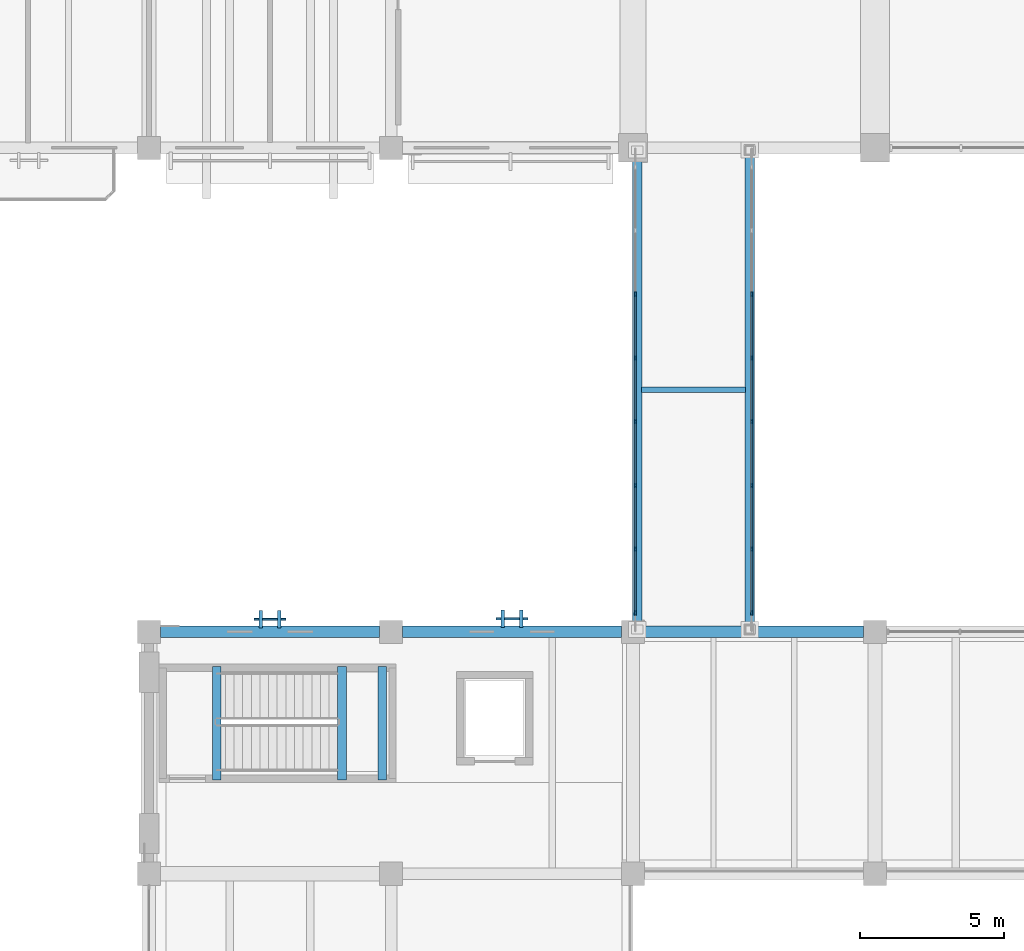
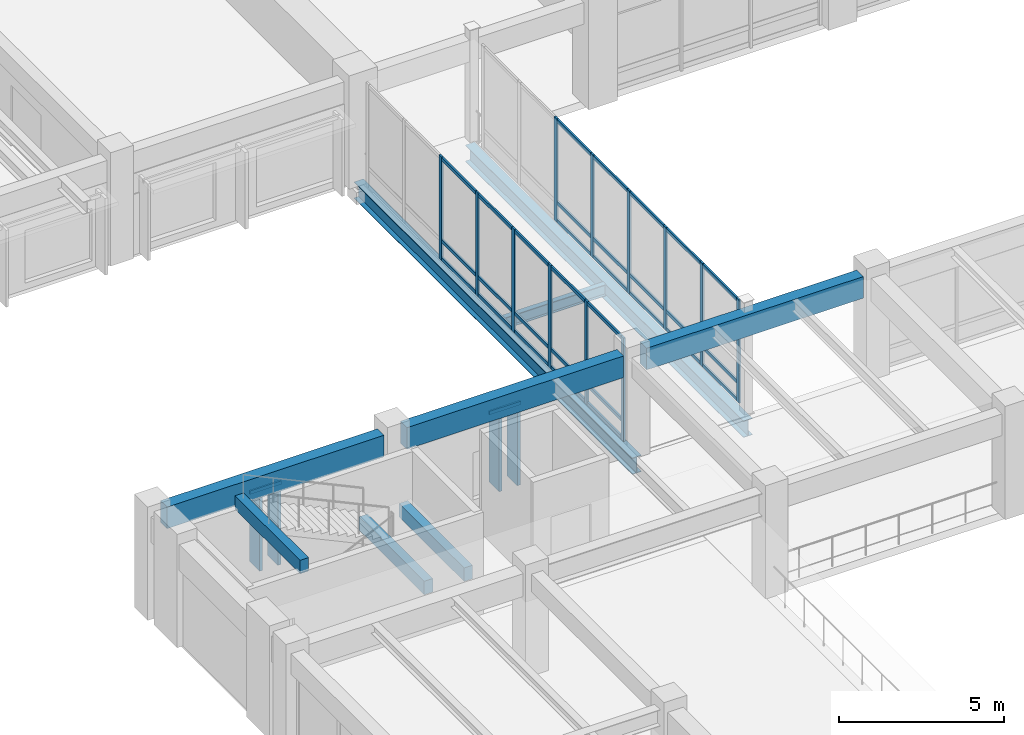
# One storey, part 38 of 132: 48 members, 9 beams, 4 elements without a shape of their own.
"""IFC4 building model written with IfcOpenShell, lengths in metres."""

from ifc_helpers import new_model, si_unit, direction, frame, origin, origin_2d, place, context, subcontext, project, spatial, rectangle, i_section, extrude, material, material_profile, profile_set, type_object, element, aggregate, save


model = new_model("IFC4")

# Units and contexts
model_context = context("Model", 3, precision=1e-05, world=origin(), true_north=direction((0.0, 1.0)))
body_context = subcontext(model_context, "Body", "Model", "MODEL_VIEW")
ifc_project = project(units=[si_unit("LENGTHUNIT", "METRE"), si_unit("AREAUNIT", "SQUARE_METRE"), si_unit("VOLUMEUNIT", "CUBIC_METRE"), si_unit("PLANEANGLEUNIT", "RADIAN"), si_unit("MASSUNIT", "GRAM", prefix="KILO")], contexts=[model_context])

# Site, building, storey
site_placement = place(None, origin())
site = spatial("IfcSite", under=ifc_project, at=site_placement, CompositionType="ELEMENT")
building_placement = place(site_placement, origin())
building = spatial("IfcBuilding", under=site, at=building_placement, Name="Cumbredor Promenade Congress Hotel", CompositionType="ELEMENT")
storey_placement = place(building_placement, frame((0.0, 0.0, 7.56005859375)))
storey = spatial("IfcBuildingStorey", under=building, at=storey_placement, Name="L02", CompositionType="ELEMENT", Elevation=7.56005859375)

# Beams
ifc_material_1 = material(Name="Steel ASTM A992 Grade 50", Category="steel")
ifc_material_profile_1 = material_profile(ifc_material_1, i_section(OverallWidth=0.323974609375, OverallDepth=0.611083984375, WebThickness=0.0126953125, FlangeThickness=0.01904296875, at=origin_2d()), Name="W24X104")
ifc_profile_set_1 = profile_set([ifc_material_profile_1], Name="Steel ASTM A992 Grade 50")
beam_type_1 = type_object("IfcBeamType", Name="BM-W24X104", PredefinedType="BEAM", material=ifc_profile_set_1)
for number, where, z_axis, x_axis, name in (
    (1, (25.35009765625, 67.159912109375, -0.525634765625), (0.0, 1.0, 0.0), (-1.0, 0.0, 0.0), "L02 West Congress-to-Hotel Glazed Bridge Edge Girder 1"),
    (2, (29.25, 67.159912109375, -0.525634765625), (0.0, 1.0, 0.0), (-1.0, 0.0, 0.0), "L02 West Congress-to-Hotel Glazed Bridge Edge Girder 2"),
):
    element("IfcBeam", number, at=place(storey_placement, frame(where, z_axis=z_axis, x_axis=x_axis)), inside=storey, type_object=beam_type_1, Name=name, PredefinedType="BEAM", context=body_context, shape_type="SweptSolid", body=[
        extrude(i_section(OverallWidth=0.323974609375, OverallDepth=0.611083984375, WebThickness=0.0126953125, FlangeThickness=0.01904296875, at=origin_2d()), origin(), (0.0, 0.0, 1.0), 16.880126953125),
    ])

# Curtain wall, members
ifc_material_2 = material(Name="Thermally broken anodized aluminium and low-E glass", Category="aluminium")
curtain_wall_type_1 = type_object("IfcCurtainWallType", Name="Unitised Bridge Glazing Screen CW-05", PredefinedType="NOTDEFINED", material=ifc_material_2)
curtain_wall_1_placement = place(storey_placement, origin())
curtain_wall_1 = element("IfcCurtainWall", 3, at=curtain_wall_1_placement, inside=storey, type_object=curtain_wall_type_1, Name="L02 West Congress-to-Hotel Glazed Bridge West Glazing Screen", PredefinedType="NOTDEFINED")
ifc_material_3 = material(Name="Thermally broken anodized aluminium", Category="aluminium")
ifc_material_profile_2 = material_profile(ifc_material_3, rectangle(XDim=0.06494140625, YDim=0.159912109375, at=origin_2d()), Name="ALU MULLION 65x160")
ifc_profile_set_2 = profile_set([ifc_material_profile_2], Name="Thermally broken anodized aluminium")
member_type_1 = type_object("IfcMemberType", Name="Curtain Wall Mullion ML-01", PredefinedType="MULLION", material=ifc_profile_set_2)
member_1_placement = place(storey_placement, frame((25.280029296875, 67.860107421875, -0.008056640625), z_axis=(0.0, 0.0, 1.0), x_axis=(1.0, 0.0, 0.0)))
member_1 = element("IfcMember", 4, at=member_1_placement, type_object=member_type_1, Name="L02 West Congress-to-Hotel Glazed Bridge West Glazing Screen Mullion 1", PredefinedType="MULLION", context=body_context, shape_type="SweptSolid", body=[
    extrude(rectangle(XDim=0.06494140625, YDim=0.159912109375, at=origin_2d()), origin(), (0.0, 0.0, 1.0), 3.8359375),
])
member_2_placement = place(storey_placement, frame((25.280029296875, 70.0712890625, -0.008056640625), z_axis=(0.0, 0.0, 1.0), x_axis=(1.0, 0.0, 0.0)))
member_2 = element("IfcMember", 5, at=member_2_placement, type_object=member_type_1, Name="L02 West Congress-to-Hotel Glazed Bridge West Glazing Screen Mullion 2", PredefinedType="MULLION", context=body_context, shape_type="SweptSolid", body=[
    extrude(rectangle(XDim=0.06494140625, YDim=0.159912109375, at=origin_2d()), origin(), (0.0, 0.0, 1.0), 3.8359375),
])
member_3_placement = place(storey_placement, frame((25.280029296875, 72.282958984375, -0.008056640625), z_axis=(0.0, 0.0, 1.0), x_axis=(1.0, 0.0, 0.0)))
member_3 = element("IfcMember", 6, at=member_3_placement, type_object=member_type_1, Name="L02 West Congress-to-Hotel Glazed Bridge West Glazing Screen Mullion 3", PredefinedType="MULLION", context=body_context, shape_type="SweptSolid", body=[
    extrude(rectangle(XDim=0.06494140625, YDim=0.159912109375, at=origin_2d()), origin(), (0.0, 0.0, 1.0), 3.8359375),
])
member_4_placement = place(storey_placement, frame((25.280029296875, 74.494384765625, -0.008056640625), z_axis=(0.0, 0.0, 1.0), x_axis=(1.0, 0.0, 0.0)))
member_4 = element("IfcMember", 7, at=member_4_placement, type_object=member_type_1, Name="L02 West Congress-to-Hotel Glazed Bridge West Glazing Screen Mullion 4", PredefinedType="MULLION", context=body_context, shape_type="SweptSolid", body=[
    extrude(rectangle(XDim=0.06494140625, YDim=0.159912109375, at=origin_2d()), origin(), (0.0, 0.0, 1.0), 3.8359375),
])
member_5_placement = place(storey_placement, frame((25.280029296875, 76.705810546875, -0.008056640625), z_axis=(0.0, 0.0, 1.0), x_axis=(1.0, 0.0, 0.0)))
member_5 = element("IfcMember", 8, at=member_5_placement, type_object=member_type_1, Name="L02 West Congress-to-Hotel Glazed Bridge West Glazing Screen Mullion 5", PredefinedType="MULLION", context=body_context, shape_type="SweptSolid", body=[
    extrude(rectangle(XDim=0.06494140625, YDim=0.159912109375, at=origin_2d()), origin(), (0.0, 0.0, 1.0), 3.8359375),
])
member_6_placement = place(storey_placement, frame((25.280029296875, 78.9169921875, -0.008056640625), z_axis=(0.0, 0.0, 1.0), x_axis=(1.0, 0.0, 0.0)))
member_6 = element("IfcMember", 9, at=member_6_placement, type_object=member_type_1, Name="L02 West Congress-to-Hotel Glazed Bridge West Glazing Screen Mullion 6", PredefinedType="MULLION", context=body_context, shape_type="SweptSolid", body=[
    extrude(rectangle(XDim=0.06494140625, YDim=0.159912109375, at=origin_2d()), origin(), (0.0, 0.0, 1.0), 3.8359375),
])

curtain_wall_2_placement = place(storey_placement, origin())
curtain_wall_2 = element("IfcCurtainWall", 10, at=curtain_wall_2_placement, inside=storey, type_object=curtain_wall_type_1, Name="L02 West Congress-to-Hotel Glazed Bridge East Glazing Screen", PredefinedType="NOTDEFINED")
member_7_placement = place(storey_placement, frame((29.320068359375, 67.860107421875, -0.008056640625), z_axis=(0.0, 0.0, 1.0), x_axis=(1.0, 0.0, 0.0)))
member_7 = element("IfcMember", 11, at=member_7_placement, type_object=member_type_1, Name="L02 West Congress-to-Hotel Glazed Bridge East Glazing Screen Mullion 1", PredefinedType="MULLION", context=body_context, shape_type="SweptSolid", body=[
    extrude(rectangle(XDim=0.06494140625, YDim=0.159912109375, at=origin_2d()), origin(), (0.0, 0.0, 1.0), 3.8359375),
])
member_8_placement = place(storey_placement, frame((29.320068359375, 70.0712890625, -0.008056640625), z_axis=(0.0, 0.0, 1.0), x_axis=(1.0, 0.0, 0.0)))
member_8 = element("IfcMember", 12, at=member_8_placement, type_object=member_type_1, Name="L02 West Congress-to-Hotel Glazed Bridge East Glazing Screen Mullion 2", PredefinedType="MULLION", context=body_context, shape_type="SweptSolid", body=[
    extrude(rectangle(XDim=0.06494140625, YDim=0.159912109375, at=origin_2d()), origin(), (0.0, 0.0, 1.0), 3.8359375),
])
member_9_placement = place(storey_placement, frame((29.320068359375, 72.282958984375, -0.008056640625), z_axis=(0.0, 0.0, 1.0), x_axis=(1.0, 0.0, 0.0)))
member_9 = element("IfcMember", 13, at=member_9_placement, type_object=member_type_1, Name="L02 West Congress-to-Hotel Glazed Bridge East Glazing Screen Mullion 3", PredefinedType="MULLION", context=body_context, shape_type="SweptSolid", body=[
    extrude(rectangle(XDim=0.06494140625, YDim=0.159912109375, at=origin_2d()), origin(), (0.0, 0.0, 1.0), 3.8359375),
])
member_10_placement = place(storey_placement, frame((29.320068359375, 74.494384765625, -0.008056640625), z_axis=(0.0, 0.0, 1.0), x_axis=(1.0, 0.0, 0.0)))
member_10 = element("IfcMember", 14, at=member_10_placement, type_object=member_type_1, Name="L02 West Congress-to-Hotel Glazed Bridge East Glazing Screen Mullion 4", PredefinedType="MULLION", context=body_context, shape_type="SweptSolid", body=[
    extrude(rectangle(XDim=0.06494140625, YDim=0.159912109375, at=origin_2d()), origin(), (0.0, 0.0, 1.0), 3.8359375),
])
member_11_placement = place(storey_placement, frame((29.320068359375, 76.705810546875, -0.008056640625), z_axis=(0.0, 0.0, 1.0), x_axis=(1.0, 0.0, 0.0)))
member_11 = element("IfcMember", 15, at=member_11_placement, type_object=member_type_1, Name="L02 West Congress-to-Hotel Glazed Bridge East Glazing Screen Mullion 5", PredefinedType="MULLION", context=body_context, shape_type="SweptSolid", body=[
    extrude(rectangle(XDim=0.06494140625, YDim=0.159912109375, at=origin_2d()), origin(), (0.0, 0.0, 1.0), 3.8359375),
])
member_12_placement = place(storey_placement, frame((29.320068359375, 78.9169921875, -0.008056640625), z_axis=(0.0, 0.0, 1.0), x_axis=(1.0, 0.0, 0.0)))
member_12 = element("IfcMember", 16, at=member_12_placement, type_object=member_type_1, Name="L02 West Congress-to-Hotel Glazed Bridge East Glazing Screen Mullion 6", PredefinedType="MULLION", context=body_context, shape_type="SweptSolid", body=[
    extrude(rectangle(XDim=0.06494140625, YDim=0.159912109375, at=origin_2d()), origin(), (0.0, 0.0, 1.0), 3.8359375),
])

# Curtain wall, member
curtain_wall_type_2 = type_object("IfcCurtainWallType", Name="Solar Brise-Soleil Screen Assembly CW-07", PredefinedType="NOTDEFINED", material=ifc_material_2)
curtain_wall_3_placement = place(storey_placement, origin())
curtain_wall_3 = element("IfcCurtainWall", 17, at=curtain_wall_3_placement, inside=storey, type_object=curtain_wall_type_2, Name="L02 Pier Brise-Soleil Screen 0361", PredefinedType="NOTDEFINED")
ifc_material_profile_3 = material_profile(ifc_material_3, rectangle(XDim=0.06494140625, YDim=0.1298828125, at=origin_2d()), Name="ALU TRANSOM 65x130")
ifc_profile_set_3 = profile_set([ifc_material_profile_3], Name="Thermally broken anodized aluminium")
member_type_2 = type_object("IfcMemberType", Name="Curtain Wall Transom TR-01", PredefinedType="USERDEFINED", material=ifc_profile_set_3)
member_13_placement = place(storey_placement, frame((12.050048828125, 67.635009765625, 2.824951171875), z_axis=(1.0, 0.0, 0.0), x_axis=(0.0, 1.0, 0.0)))
member_13 = element("IfcMember", 18, at=member_13_placement, type_object=member_type_2, Name="L02 Pier Brise-Soleil Header 0363", ObjectType="TRANSOM", PredefinedType="USERDEFINED", context=body_context, shape_type="SweptSolid", body=[
    extrude(rectangle(XDim=0.06494140625, YDim=0.1298828125, at=origin_2d()), origin(), (0.0, 0.0, 1.0), 1.099853515625),
])

curtain_wall_4_placement = place(storey_placement, origin())
curtain_wall_4 = element("IfcCurtainWall", 19, at=curtain_wall_4_placement, inside=storey, type_object=curtain_wall_type_2, Name="L02 Pier Brise-Soleil Screen 0364", PredefinedType="NOTDEFINED")
member_14_placement = place(storey_placement, frame((20.449951171875, 67.64990234375, 2.824951171875), z_axis=(1.0, 0.0, 0.0), x_axis=(0.0, 1.0, 0.0)))
member_14 = element("IfcMember", 20, at=member_14_placement, type_object=member_type_2, Name="L02 Pier Brise-Soleil Header 0366", ObjectType="TRANSOM", PredefinedType="USERDEFINED", context=body_context, shape_type="SweptSolid", body=[
    extrude(rectangle(XDim=0.06494140625, YDim=0.1298828125, at=origin_2d()), origin(), (0.0, 0.0, 1.0), 1.10009765625),
])

# Member
member_15_placement = place(storey_placement, frame((25.280029296875, 67.892578125, 0.06005859375), z_axis=(0.0, 1.0, 0.0), x_axis=(-1.0, 0.0, 0.0)))
member_15 = element("IfcMember", 21, at=member_15_placement, type_object=member_type_2, Name="L02 West Congress-to-Hotel Glazed Bridge West Glazing Screen Transom 1.1", ObjectType="TRANSOM", PredefinedType="USERDEFINED", context=body_context, shape_type="SweptSolid", body=[
    extrude(rectangle(XDim=0.06494140625, YDim=0.1298828125, at=origin_2d()), origin(), (0.0, 0.0, 1.0), 2.146240234375),
])

member_16_placement = place(storey_placement, frame((25.280029296875, 67.892578125, 0.719970703125), z_axis=(0.0, 1.0, 0.0), x_axis=(-1.0, 0.0, 0.0)))
member_16 = element("IfcMember", 22, at=member_16_placement, type_object=member_type_2, Name="L02 West Congress-to-Hotel Glazed Bridge West Glazing Screen Transom 1.2", ObjectType="TRANSOM", PredefinedType="USERDEFINED", context=body_context, shape_type="SweptSolid", body=[
    extrude(rectangle(XDim=0.06494140625, YDim=0.1298828125, at=origin_2d()), origin(), (0.0, 0.0, 1.0), 2.146240234375),
])

member_17_placement = place(storey_placement, frame((25.280029296875, 67.892578125, 3.760009765625), z_axis=(0.0, 1.0, 0.0), x_axis=(-1.0, 0.0, 0.0)))
member_17 = element("IfcMember", 23, at=member_17_placement, type_object=member_type_2, Name="L02 West Congress-to-Hotel Glazed Bridge West Glazing Screen Transom 1.3", ObjectType="TRANSOM", PredefinedType="USERDEFINED", context=body_context, shape_type="SweptSolid", body=[
    extrude(rectangle(XDim=0.06494140625, YDim=0.1298828125, at=origin_2d()), origin(), (0.0, 0.0, 1.0), 2.146240234375),
])

member_18_placement = place(storey_placement, frame((25.280029296875, 70.10400390625, 0.06005859375), z_axis=(0.0, 1.0, 0.0), x_axis=(-1.0, 0.0, 0.0)))
member_18 = element("IfcMember", 24, at=member_18_placement, type_object=member_type_2, Name="L02 West Congress-to-Hotel Glazed Bridge West Glazing Screen Transom 2.1", ObjectType="TRANSOM", PredefinedType="USERDEFINED", context=body_context, shape_type="SweptSolid", body=[
    extrude(rectangle(XDim=0.06494140625, YDim=0.1298828125, at=origin_2d()), origin(), (0.0, 0.0, 1.0), 2.146484375),
])

member_19_placement = place(storey_placement, frame((25.280029296875, 70.10400390625, 0.719970703125), z_axis=(0.0, 1.0, 0.0), x_axis=(-1.0, 0.0, 0.0)))
member_19 = element("IfcMember", 25, at=member_19_placement, type_object=member_type_2, Name="L02 West Congress-to-Hotel Glazed Bridge West Glazing Screen Transom 2.2", ObjectType="TRANSOM", PredefinedType="USERDEFINED", context=body_context, shape_type="SweptSolid", body=[
    extrude(rectangle(XDim=0.06494140625, YDim=0.1298828125, at=origin_2d()), origin(), (0.0, 0.0, 1.0), 2.146484375),
])

member_20_placement = place(storey_placement, frame((25.280029296875, 70.10400390625, 3.760009765625), z_axis=(0.0, 1.0, 0.0), x_axis=(-1.0, 0.0, 0.0)))
member_20 = element("IfcMember", 26, at=member_20_placement, type_object=member_type_2, Name="L02 West Congress-to-Hotel Glazed Bridge West Glazing Screen Transom 2.3", ObjectType="TRANSOM", PredefinedType="USERDEFINED", context=body_context, shape_type="SweptSolid", body=[
    extrude(rectangle(XDim=0.06494140625, YDim=0.1298828125, at=origin_2d()), origin(), (0.0, 0.0, 1.0), 2.146484375),
])

member_21_placement = place(storey_placement, frame((25.280029296875, 72.3154296875, 0.06005859375), z_axis=(0.0, 1.0, 0.0), x_axis=(-1.0, 0.0, 0.0)))
member_21 = element("IfcMember", 27, at=member_21_placement, type_object=member_type_2, Name="L02 West Congress-to-Hotel Glazed Bridge West Glazing Screen Transom 3.1", ObjectType="TRANSOM", PredefinedType="USERDEFINED", context=body_context, shape_type="SweptSolid", body=[
    extrude(rectangle(XDim=0.06494140625, YDim=0.1298828125, at=origin_2d()), origin(), (0.0, 0.0, 1.0), 2.146484375),
])

member_22_placement = place(storey_placement, frame((25.280029296875, 72.3154296875, 0.719970703125), z_axis=(0.0, 1.0, 0.0), x_axis=(-1.0, 0.0, 0.0)))
member_22 = element("IfcMember", 28, at=member_22_placement, type_object=member_type_2, Name="L02 West Congress-to-Hotel Glazed Bridge West Glazing Screen Transom 3.2", ObjectType="TRANSOM", PredefinedType="USERDEFINED", context=body_context, shape_type="SweptSolid", body=[
    extrude(rectangle(XDim=0.06494140625, YDim=0.1298828125, at=origin_2d()), origin(), (0.0, 0.0, 1.0), 2.146484375),
])

member_23_placement = place(storey_placement, frame((25.280029296875, 72.3154296875, 3.760009765625), z_axis=(0.0, 1.0, 0.0), x_axis=(-1.0, 0.0, 0.0)))
member_23 = element("IfcMember", 29, at=member_23_placement, type_object=member_type_2, Name="L02 West Congress-to-Hotel Glazed Bridge West Glazing Screen Transom 3.3", ObjectType="TRANSOM", PredefinedType="USERDEFINED", context=body_context, shape_type="SweptSolid", body=[
    extrude(rectangle(XDim=0.06494140625, YDim=0.1298828125, at=origin_2d()), origin(), (0.0, 0.0, 1.0), 2.146484375),
])

member_24_placement = place(storey_placement, frame((25.280029296875, 74.52685546875, 0.06005859375), z_axis=(0.0, 1.0, 0.0), x_axis=(-1.0, 0.0, 0.0)))
member_24 = element("IfcMember", 30, at=member_24_placement, type_object=member_type_2, Name="L02 West Congress-to-Hotel Glazed Bridge West Glazing Screen Transom 4.1", ObjectType="TRANSOM", PredefinedType="USERDEFINED", context=body_context, shape_type="SweptSolid", body=[
    extrude(rectangle(XDim=0.06494140625, YDim=0.1298828125, at=origin_2d()), origin(), (0.0, 0.0, 1.0), 2.146240234375),
])

member_25_placement = place(storey_placement, frame((25.280029296875, 74.52685546875, 0.719970703125), z_axis=(0.0, 1.0, 0.0), x_axis=(-1.0, 0.0, 0.0)))
member_25 = element("IfcMember", 31, at=member_25_placement, type_object=member_type_2, Name="L02 West Congress-to-Hotel Glazed Bridge West Glazing Screen Transom 4.2", ObjectType="TRANSOM", PredefinedType="USERDEFINED", context=body_context, shape_type="SweptSolid", body=[
    extrude(rectangle(XDim=0.06494140625, YDim=0.1298828125, at=origin_2d()), origin(), (0.0, 0.0, 1.0), 2.146240234375),
])

member_26_placement = place(storey_placement, frame((25.280029296875, 74.52685546875, 3.760009765625), z_axis=(0.0, 1.0, 0.0), x_axis=(-1.0, 0.0, 0.0)))
member_26 = element("IfcMember", 32, at=member_26_placement, type_object=member_type_2, Name="L02 West Congress-to-Hotel Glazed Bridge West Glazing Screen Transom 4.3", ObjectType="TRANSOM", PredefinedType="USERDEFINED", context=body_context, shape_type="SweptSolid", body=[
    extrude(rectangle(XDim=0.06494140625, YDim=0.1298828125, at=origin_2d()), origin(), (0.0, 0.0, 1.0), 2.146240234375),
])

member_27_placement = place(storey_placement, frame((25.280029296875, 76.73828125, 0.06005859375), z_axis=(0.0, 1.0, 0.0), x_axis=(-1.0, 0.0, 0.0)))
member_27 = element("IfcMember", 33, at=member_27_placement, type_object=member_type_2, Name="L02 West Congress-to-Hotel Glazed Bridge West Glazing Screen Transom 5.1", ObjectType="TRANSOM", PredefinedType="USERDEFINED", context=body_context, shape_type="SweptSolid", body=[
    extrude(rectangle(XDim=0.06494140625, YDim=0.1298828125, at=origin_2d()), origin(), (0.0, 0.0, 1.0), 2.146240234375),
])

member_28_placement = place(storey_placement, frame((25.280029296875, 76.73828125, 0.719970703125), z_axis=(0.0, 1.0, 0.0), x_axis=(-1.0, 0.0, 0.0)))
member_28 = element("IfcMember", 34, at=member_28_placement, type_object=member_type_2, Name="L02 West Congress-to-Hotel Glazed Bridge West Glazing Screen Transom 5.2", ObjectType="TRANSOM", PredefinedType="USERDEFINED", context=body_context, shape_type="SweptSolid", body=[
    extrude(rectangle(XDim=0.06494140625, YDim=0.1298828125, at=origin_2d()), origin(), (0.0, 0.0, 1.0), 2.146240234375),
])

member_29_placement = place(storey_placement, frame((25.280029296875, 76.73828125, 3.760009765625), z_axis=(0.0, 1.0, 0.0), x_axis=(-1.0, 0.0, 0.0)))
member_29 = element("IfcMember", 35, at=member_29_placement, type_object=member_type_2, Name="L02 West Congress-to-Hotel Glazed Bridge West Glazing Screen Transom 5.3", ObjectType="TRANSOM", PredefinedType="USERDEFINED", context=body_context, shape_type="SweptSolid", body=[
    extrude(rectangle(XDim=0.06494140625, YDim=0.1298828125, at=origin_2d()), origin(), (0.0, 0.0, 1.0), 2.146240234375),
])

aggregate(curtain_wall_1, [member_1, member_2, member_3, member_4, member_5, member_6, member_15, member_16, member_17, member_18, member_19, member_20, member_21, member_22, member_23, member_24, member_25, member_26, member_27, member_28, member_29])

member_30_placement = place(storey_placement, frame((29.320068359375, 67.892578125, 0.06005859375), z_axis=(0.0, 1.0, 0.0), x_axis=(-1.0, 0.0, 0.0)))
member_30 = element("IfcMember", 36, at=member_30_placement, type_object=member_type_2, Name="L02 West Congress-to-Hotel Glazed Bridge East Glazing Screen Transom 1.1", ObjectType="TRANSOM", PredefinedType="USERDEFINED", context=body_context, shape_type="SweptSolid", body=[
    extrude(rectangle(XDim=0.06494140625, YDim=0.1298828125, at=origin_2d()), origin(), (0.0, 0.0, 1.0), 2.146240234375),
])

member_31_placement = place(storey_placement, frame((29.320068359375, 67.892578125, 0.719970703125), z_axis=(0.0, 1.0, 0.0), x_axis=(-1.0, 0.0, 0.0)))
member_31 = element("IfcMember", 37, at=member_31_placement, type_object=member_type_2, Name="L02 West Congress-to-Hotel Glazed Bridge East Glazing Screen Transom 1.2", ObjectType="TRANSOM", PredefinedType="USERDEFINED", context=body_context, shape_type="SweptSolid", body=[
    extrude(rectangle(XDim=0.06494140625, YDim=0.1298828125, at=origin_2d()), origin(), (0.0, 0.0, 1.0), 2.146240234375),
])

member_32_placement = place(storey_placement, frame((29.320068359375, 67.892578125, 3.760009765625), z_axis=(0.0, 1.0, 0.0), x_axis=(-1.0, 0.0, 0.0)))
member_32 = element("IfcMember", 38, at=member_32_placement, type_object=member_type_2, Name="L02 West Congress-to-Hotel Glazed Bridge East Glazing Screen Transom 1.3", ObjectType="TRANSOM", PredefinedType="USERDEFINED", context=body_context, shape_type="SweptSolid", body=[
    extrude(rectangle(XDim=0.06494140625, YDim=0.1298828125, at=origin_2d()), origin(), (0.0, 0.0, 1.0), 2.146240234375),
])

member_33_placement = place(storey_placement, frame((29.320068359375, 70.10400390625, 0.06005859375), z_axis=(0.0, 1.0, 0.0), x_axis=(-1.0, 0.0, 0.0)))
member_33 = element("IfcMember", 39, at=member_33_placement, type_object=member_type_2, Name="L02 West Congress-to-Hotel Glazed Bridge East Glazing Screen Transom 2.1", ObjectType="TRANSOM", PredefinedType="USERDEFINED", context=body_context, shape_type="SweptSolid", body=[
    extrude(rectangle(XDim=0.06494140625, YDim=0.1298828125, at=origin_2d()), origin(), (0.0, 0.0, 1.0), 2.146484375),
])

member_34_placement = place(storey_placement, frame((29.320068359375, 70.10400390625, 0.719970703125), z_axis=(0.0, 1.0, 0.0), x_axis=(-1.0, 0.0, 0.0)))
member_34 = element("IfcMember", 40, at=member_34_placement, type_object=member_type_2, Name="L02 West Congress-to-Hotel Glazed Bridge East Glazing Screen Transom 2.2", ObjectType="TRANSOM", PredefinedType="USERDEFINED", context=body_context, shape_type="SweptSolid", body=[
    extrude(rectangle(XDim=0.06494140625, YDim=0.1298828125, at=origin_2d()), origin(), (0.0, 0.0, 1.0), 2.146484375),
])

member_35_placement = place(storey_placement, frame((29.320068359375, 70.10400390625, 3.760009765625), z_axis=(0.0, 1.0, 0.0), x_axis=(-1.0, 0.0, 0.0)))
member_35 = element("IfcMember", 41, at=member_35_placement, type_object=member_type_2, Name="L02 West Congress-to-Hotel Glazed Bridge East Glazing Screen Transom 2.3", ObjectType="TRANSOM", PredefinedType="USERDEFINED", context=body_context, shape_type="SweptSolid", body=[
    extrude(rectangle(XDim=0.06494140625, YDim=0.1298828125, at=origin_2d()), origin(), (0.0, 0.0, 1.0), 2.146484375),
])

member_36_placement = place(storey_placement, frame((29.320068359375, 72.3154296875, 0.06005859375), z_axis=(0.0, 1.0, 0.0), x_axis=(-1.0, 0.0, 0.0)))
member_36 = element("IfcMember", 42, at=member_36_placement, type_object=member_type_2, Name="L02 West Congress-to-Hotel Glazed Bridge East Glazing Screen Transom 3.1", ObjectType="TRANSOM", PredefinedType="USERDEFINED", context=body_context, shape_type="SweptSolid", body=[
    extrude(rectangle(XDim=0.06494140625, YDim=0.1298828125, at=origin_2d()), origin(), (0.0, 0.0, 1.0), 2.146484375),
])

member_37_placement = place(storey_placement, frame((29.320068359375, 72.3154296875, 0.719970703125), z_axis=(0.0, 1.0, 0.0), x_axis=(-1.0, 0.0, 0.0)))
member_37 = element("IfcMember", 43, at=member_37_placement, type_object=member_type_2, Name="L02 West Congress-to-Hotel Glazed Bridge East Glazing Screen Transom 3.2", ObjectType="TRANSOM", PredefinedType="USERDEFINED", context=body_context, shape_type="SweptSolid", body=[
    extrude(rectangle(XDim=0.06494140625, YDim=0.1298828125, at=origin_2d()), origin(), (0.0, 0.0, 1.0), 2.146484375),
])

member_38_placement = place(storey_placement, frame((29.320068359375, 72.3154296875, 3.760009765625), z_axis=(0.0, 1.0, 0.0), x_axis=(-1.0, 0.0, 0.0)))
member_38 = element("IfcMember", 44, at=member_38_placement, type_object=member_type_2, Name="L02 West Congress-to-Hotel Glazed Bridge East Glazing Screen Transom 3.3", ObjectType="TRANSOM", PredefinedType="USERDEFINED", context=body_context, shape_type="SweptSolid", body=[
    extrude(rectangle(XDim=0.06494140625, YDim=0.1298828125, at=origin_2d()), origin(), (0.0, 0.0, 1.0), 2.146484375),
])

member_39_placement = place(storey_placement, frame((29.320068359375, 74.52685546875, 0.06005859375), z_axis=(0.0, 1.0, 0.0), x_axis=(-1.0, 0.0, 0.0)))
member_39 = element("IfcMember", 45, at=member_39_placement, type_object=member_type_2, Name="L02 West Congress-to-Hotel Glazed Bridge East Glazing Screen Transom 4.1", ObjectType="TRANSOM", PredefinedType="USERDEFINED", context=body_context, shape_type="SweptSolid", body=[
    extrude(rectangle(XDim=0.06494140625, YDim=0.1298828125, at=origin_2d()), origin(), (0.0, 0.0, 1.0), 2.146240234375),
])

member_40_placement = place(storey_placement, frame((29.320068359375, 74.52685546875, 0.719970703125), z_axis=(0.0, 1.0, 0.0), x_axis=(-1.0, 0.0, 0.0)))
member_40 = element("IfcMember", 46, at=member_40_placement, type_object=member_type_2, Name="L02 West Congress-to-Hotel Glazed Bridge East Glazing Screen Transom 4.2", ObjectType="TRANSOM", PredefinedType="USERDEFINED", context=body_context, shape_type="SweptSolid", body=[
    extrude(rectangle(XDim=0.06494140625, YDim=0.1298828125, at=origin_2d()), origin(), (0.0, 0.0, 1.0), 2.146240234375),
])

member_41_placement = place(storey_placement, frame((29.320068359375, 74.52685546875, 3.760009765625), z_axis=(0.0, 1.0, 0.0), x_axis=(-1.0, 0.0, 0.0)))
member_41 = element("IfcMember", 47, at=member_41_placement, type_object=member_type_2, Name="L02 West Congress-to-Hotel Glazed Bridge East Glazing Screen Transom 4.3", ObjectType="TRANSOM", PredefinedType="USERDEFINED", context=body_context, shape_type="SweptSolid", body=[
    extrude(rectangle(XDim=0.06494140625, YDim=0.1298828125, at=origin_2d()), origin(), (0.0, 0.0, 1.0), 2.146240234375),
])

member_42_placement = place(storey_placement, frame((29.320068359375, 76.73828125, 0.06005859375), z_axis=(0.0, 1.0, 0.0), x_axis=(-1.0, 0.0, 0.0)))
member_42 = element("IfcMember", 48, at=member_42_placement, type_object=member_type_2, Name="L02 West Congress-to-Hotel Glazed Bridge East Glazing Screen Transom 5.1", ObjectType="TRANSOM", PredefinedType="USERDEFINED", context=body_context, shape_type="SweptSolid", body=[
    extrude(rectangle(XDim=0.06494140625, YDim=0.1298828125, at=origin_2d()), origin(), (0.0, 0.0, 1.0), 2.146240234375),
])

member_43_placement = place(storey_placement, frame((29.320068359375, 76.73828125, 0.719970703125), z_axis=(0.0, 1.0, 0.0), x_axis=(-1.0, 0.0, 0.0)))
member_43 = element("IfcMember", 49, at=member_43_placement, type_object=member_type_2, Name="L02 West Congress-to-Hotel Glazed Bridge East Glazing Screen Transom 5.2", ObjectType="TRANSOM", PredefinedType="USERDEFINED", context=body_context, shape_type="SweptSolid", body=[
    extrude(rectangle(XDim=0.06494140625, YDim=0.1298828125, at=origin_2d()), origin(), (0.0, 0.0, 1.0), 2.146240234375),
])

member_44_placement = place(storey_placement, frame((29.320068359375, 76.73828125, 3.760009765625), z_axis=(0.0, 1.0, 0.0), x_axis=(-1.0, 0.0, 0.0)))
member_44 = element("IfcMember", 50, at=member_44_placement, type_object=member_type_2, Name="L02 West Congress-to-Hotel Glazed Bridge East Glazing Screen Transom 5.3", ObjectType="TRANSOM", PredefinedType="USERDEFINED", context=body_context, shape_type="SweptSolid", body=[
    extrude(rectangle(XDim=0.06494140625, YDim=0.1298828125, at=origin_2d()), origin(), (0.0, 0.0, 1.0), 2.146240234375),
])

aggregate(curtain_wall_2, [member_7, member_8, member_9, member_10, member_11, member_12, member_30, member_31, member_32, member_33, member_34, member_35, member_36, member_37, member_38, member_39, member_40, member_41, member_42, member_43, member_44])

# Beams
ifc_material_profile_4 = material_profile(ifc_material_1, i_section(OverallWidth=0.180908203125, OverallDepth=0.4169921875, WebThickness=0.010986328125, FlangeThickness=0.018310546875, at=origin_2d()), Name="W16X57")
ifc_profile_set_4 = profile_set([ifc_material_profile_4], Name="Steel ASTM A992 Grade 50")
beam_type_2 = type_object("IfcBeamType", Name="JST-W16X57", PredefinedType="JOIST", material=ifc_profile_set_4)
beam_1_placement = place(storey_placement, frame((25.5, 75.60009765625, -0.428466796875), z_axis=(1.0, 0.0, 0.0), x_axis=(0.0, 1.0, 0.0)))
element("IfcBeam", 51, at=beam_1_placement, inside=storey, type_object=beam_type_2, Name="L02 West Congress-to-Hotel Glazed Bridge Cross Beam", PredefinedType="JOIST", context=body_context, shape_type="SweptSolid", body=[
    extrude(i_section(OverallWidth=0.180908203125, OverallDepth=0.4169921875, WebThickness=0.010986328125, FlangeThickness=0.018310546875, at=origin_2d()), origin(), (0.0, 0.0, 1.0), 3.60009765625),
])
ifc_material_4 = material(Name="Concrete C40/50", Category="concrete")
ifc_material_profile_5 = material_profile(ifc_material_4, rectangle(XDim=0.300048828125, YDim=0.5, at=origin_2d()), Name="RC LINTEL 300x500")
ifc_profile_set_5 = profile_set([ifc_material_profile_5], Name="Concrete C40/50")
beam_type_3 = type_object("IfcBeamType", Name="LN-RC-300x500", PredefinedType="LINTEL", material=ifc_profile_set_5)
for number, where, z_axis, x_axis, name in (
    (52, (16.5, 62.050048828125, 1.64990234375), (0.0, 1.0, 0.0), (-1.0, 0.0, 0.0), "L02 Stair ST-06 Landing Ledger Beam E"),
    (53, (15.10009765625, 62.050048828125, 1.64990234375), (0.0, 1.0, 0.0), (-1.0, 0.0, 0.0), "L02 Stair ST-06 Landing Ledger Beam W"),
    (54, (10.75, 62.050048828125, 3.949951171875), (0.0, 1.0, 0.0), (-1.0, 0.0, 0.0), "L03 Stair ST-06 Well Header Trimmer Beam"),
):
    element("IfcBeam", number, at=place(storey_placement, frame(where, z_axis=z_axis, x_axis=x_axis)), inside=storey, type_object=beam_type_3, Name=name, PredefinedType="LINTEL", context=body_context, shape_type="SweptSolid", body=[
        extrude(rectangle(XDim=0.300048828125, YDim=0.5, at=origin_2d()), origin(), (0.0, 0.0, 1.0), 3.949951171875),
    ])
ifc_material_profile_6 = material_profile(ifc_material_4, rectangle(XDim=0.39990234375, YDim=0.800048828125, at=origin_2d()), Name="RC SPANDREL 400x800")
ifc_profile_set_6 = profile_set([ifc_material_profile_6], Name="Concrete C40/50")
beam_type_4 = type_object("IfcBeamType", Name="SP-RC-400x800", PredefinedType="SPANDREL", material=ifc_profile_set_6)
beam_2_placement = place(storey_placement, frame((8.800048828125, 67.199951171875, 3.39990234375), z_axis=(1.0, 0.0, 0.0), x_axis=(0.0, 1.0, 0.0)))
element("IfcBeam", 55, at=beam_2_placement, inside=storey, type_object=beam_type_4, Name="L03 X-Grid Beam 024", PredefinedType="SPANDREL", context=body_context, shape_type="SweptSolid", body=[
    extrude(rectangle(XDim=0.39990234375, YDim=0.800048828125, at=origin_2d()), origin(), (0.0, 0.0, 1.0), 7.599853515625),
])
beam_3_placement = place(storey_placement, frame((17.199951171875, 67.199951171875, 3.39990234375), z_axis=(1.0, 0.0, 0.0), x_axis=(0.0, 1.0, 0.0)))
element("IfcBeam", 56, at=beam_3_placement, inside=storey, type_object=beam_type_4, Name="L03 X-Grid Beam 042", PredefinedType="SPANDREL", context=body_context, shape_type="SweptSolid", body=[
    extrude(rectangle(XDim=0.39990234375, YDim=0.800048828125, at=origin_2d()), origin(), (0.0, 0.0, 1.0), 7.60009765625),
])
beam_4_placement = place(storey_placement, frame((25.60009765625, 67.199951171875, 3.39990234375), z_axis=(1.0, 0.0, 0.0), x_axis=(0.0, 1.0, 0.0)))
element("IfcBeam", 57, at=beam_4_placement, inside=storey, type_object=beam_type_4, Name="L03 X-Grid Beam 054", PredefinedType="SPANDREL", context=body_context, shape_type="SweptSolid", body=[
    extrude(rectangle(XDim=0.39990234375, YDim=0.800048828125, at=origin_2d()), origin(), (0.0, 0.0, 1.0), 7.599853515625),
])

# Member
ifc_material_profile_7 = material_profile(ifc_material_3, rectangle(XDim=0.110107421875, YDim=0.6201171875, at=origin_2d()), Name="ARCH FIN 110x620")
ifc_profile_set_7 = profile_set([ifc_material_profile_7], Name="Thermally broken anodized aluminium")
member_type_3 = type_object("IfcMemberType", Name="Vertical Bronze Brise-Soleil Fin BSF-02 110x620", PredefinedType="USERDEFINED", material=ifc_profile_set_7)
member_45_placement = place(storey_placement, frame((12.280029296875, 67.635009765625, 0.02001953125), z_axis=(0.0, 0.0, 1.0), x_axis=(1.0, 0.0, 0.0)))
member_45 = element("IfcMember", 58, at=member_45_placement, type_object=member_type_3, Name="L02 Pier Brise-Soleil Fin 0362", ObjectType="SOLAR FIN", PredefinedType="USERDEFINED", context=body_context, shape_type="SweptSolid", body=[
    extrude(rectangle(XDim=0.110107421875, YDim=0.6201171875, at=origin_2d()), origin(), (0.0, 0.0, 1.0), 2.844970703125),
])

member_46_placement = place(storey_placement, frame((12.919921875, 67.635009765625, 0.02001953125), z_axis=(0.0, 0.0, 1.0), x_axis=(1.0, 0.0, 0.0)))
member_46 = element("IfcMember", 59, at=member_46_placement, type_object=member_type_3, Name="L02 Pier Brise-Soleil Fin 0363", ObjectType="SOLAR FIN", PredefinedType="USERDEFINED", context=body_context, shape_type="SweptSolid", body=[
    extrude(rectangle(XDim=0.110107421875, YDim=0.6201171875, at=origin_2d()), origin(), (0.0, 0.0, 1.0), 2.844970703125),
])

aggregate(curtain_wall_3, [member_45, member_46, member_13])

member_47_placement = place(storey_placement, frame((20.679931640625, 67.64990234375, 0.02001953125), z_axis=(0.0, 0.0, 1.0), x_axis=(1.0, 0.0, 0.0)))
member_47 = element("IfcMember", 60, at=member_47_placement, type_object=member_type_3, Name="L02 Pier Brise-Soleil Fin 0365", ObjectType="SOLAR FIN", PredefinedType="USERDEFINED", context=body_context, shape_type="SweptSolid", body=[
    extrude(rectangle(XDim=0.110107421875, YDim=0.6201171875, at=origin_2d()), origin(), (0.0, 0.0, 1.0), 2.844970703125),
])

member_48_placement = place(storey_placement, frame((21.320068359375, 67.64990234375, 0.02001953125), z_axis=(0.0, 0.0, 1.0), x_axis=(1.0, 0.0, 0.0)))
member_48 = element("IfcMember", 61, at=member_48_placement, type_object=member_type_3, Name="L02 Pier Brise-Soleil Fin 0366", ObjectType="SOLAR FIN", PredefinedType="USERDEFINED", context=body_context, shape_type="SweptSolid", body=[
    extrude(rectangle(XDim=0.110107421875, YDim=0.6201171875, at=origin_2d()), origin(), (0.0, 0.0, 1.0), 2.844970703125),
])

aggregate(curtain_wall_4, [member_47, member_48, member_14])

save(model, "model.ifc")
